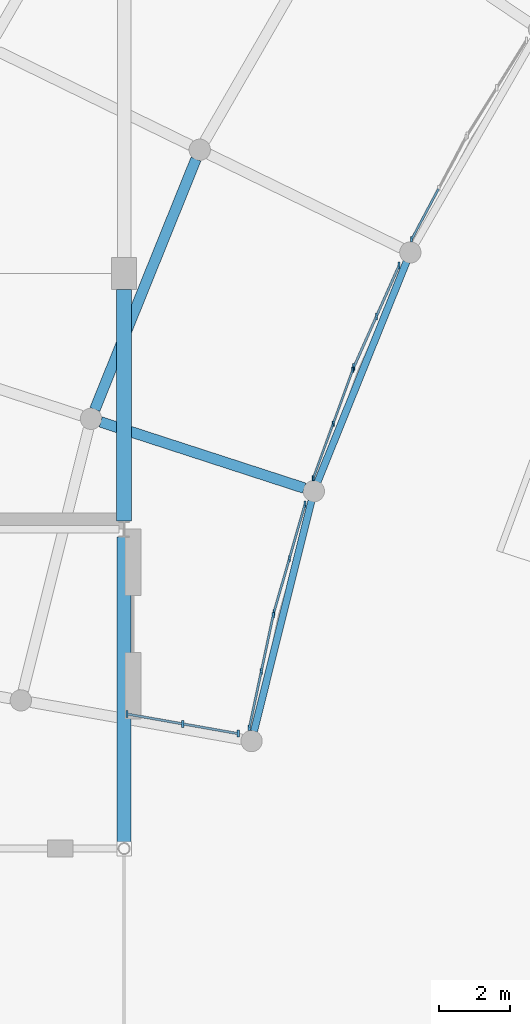
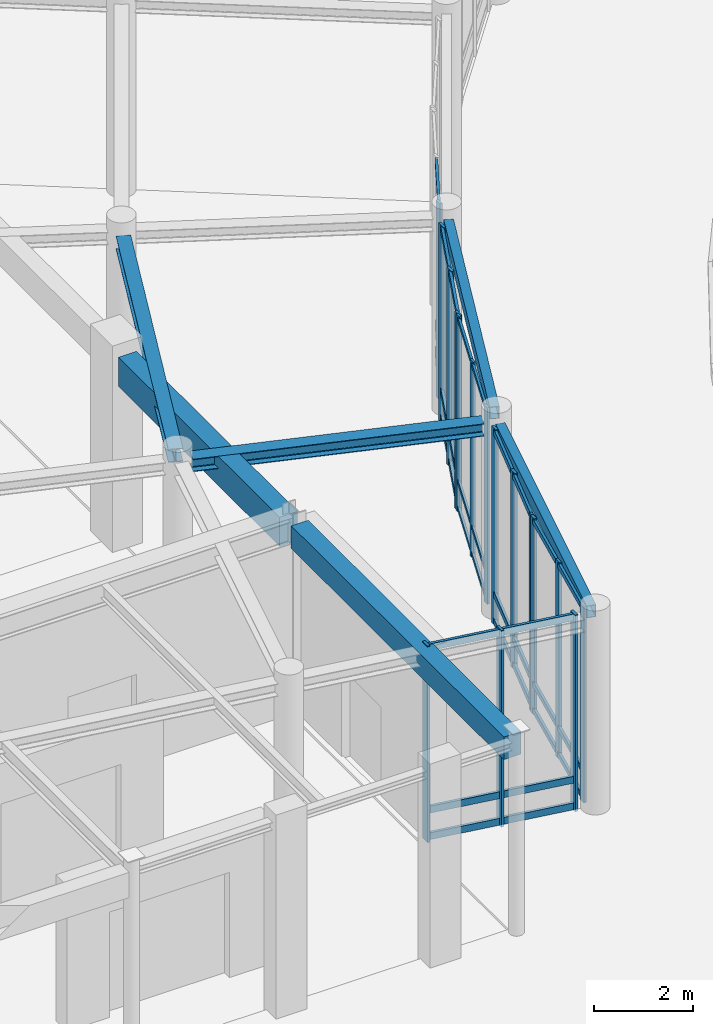
# One storey, part 17 of 64: 49 members, 6 beams, 6 elements without a shape of their own.
"""IFC4 building model written with IfcOpenShell, lengths in metres."""

from ifc_helpers import new_model, si_unit, direction, frame, origin, origin_2d, place, context, subcontext, project, spatial, rectangle, hollow_rectangle, i_section, extrude, material, material_profile, profile_set, type_object, element, aggregate, save


model = new_model("IFC4")

# Units and contexts
model_context = context("Model", 3, precision=1e-05, world=origin(), true_north=direction((0.0, 1.0)))
body_context = subcontext(model_context, "Body", "Model", "MODEL_VIEW")
ifc_project = project(units=[si_unit("LENGTHUNIT", "METRE"), si_unit("AREAUNIT", "SQUARE_METRE"), si_unit("VOLUMEUNIT", "CUBIC_METRE"), si_unit("PLANEANGLEUNIT", "RADIAN"), si_unit("MASSUNIT", "GRAM", prefix="KILO")], contexts=[model_context])

# Site, building, storey
site_placement = place(None, origin())
site = spatial("IfcSite", under=ifc_project, at=site_placement, CompositionType="ELEMENT")
building_placement = place(site_placement, origin())
building = spatial("IfcBuilding", under=site, at=building_placement, Name="Clarverna Civic Hall", CompositionType="ELEMENT")
storey_placement = place(building_placement, origin())
storey = spatial("IfcBuildingStorey", under=building, at=storey_placement, Name="L00", CompositionType="ELEMENT", Elevation=0.0)

# Beams
ifc_material_1 = material(Name="Concrete C35/45", Category="concrete")
ifc_material_profile_1 = material_profile(ifc_material_1, rectangle(XDim=0.419921875, YDim=0.719970703125, at=origin_2d()), Name="RC 420x720")
ifc_profile_set_1 = profile_set([ifc_material_profile_1], Name="Concrete C35/45")
beam_type_1 = type_object("IfcBeamType", Name="B-SP1", PredefinedType="SPANDREL", material=ifc_profile_set_1)
beam_1_placement = place(storey_placement, frame((97.199951171875, 23.22509765625, 4.419921875), z_axis=(0.0, 1.0, 0.0), x_axis=(-1.0, 0.0, 0.0)))
element("IfcBeam", 1, at=beam_1_placement, inside=storey, type_object=beam_type_1, Name="B-SP1-053", PredefinedType="SPANDREL", context=body_context, shape_type="SweptSolid", body=[
    extrude(rectangle(XDim=0.419921875, YDim=0.719970703125, at=origin_2d()), origin(), (0.0, 0.0, 1.0), 6.52490234375),
])
ifc_material_profile_2 = material_profile(ifc_material_1, rectangle(XDim=0.39990234375, YDim=0.56005859375, at=origin_2d()), Name="RC 400x560")
ifc_profile_set_2 = profile_set([ifc_material_profile_2], Name="Concrete C35/45")
beam_type_2 = type_object("IfcBeamType", Name="B-SP4", PredefinedType="SPANDREL", material=ifc_profile_set_2)
beam_2_placement = place(storey_placement, frame((97.199951171875, 14.161865234375, 4.56005859375), z_axis=(0.0, 1.0, 0.0), x_axis=(-1.0, 0.0, 0.0)))
element("IfcBeam", 2, at=beam_2_placement, inside=storey, type_object=beam_type_2, Name="B-SP4-049", PredefinedType="SPANDREL", context=body_context, shape_type="SweptSolid", body=[
    extrude(rectangle(XDim=0.39990234375, YDim=0.56005859375, at=origin_2d()), origin(), (0.0, 0.0, 1.0), 8.613037109375),
])
ifc_material_2 = material(Name="Steel S355", Category="steel")
ifc_material_profile_3 = material_profile(ifc_material_2, hollow_rectangle(XDim=0.199951171875, YDim=0.300048828125, WallThickness=0.010009765625, at=origin_2d()), Name="RHS 300x200x10.0")
ifc_profile_set_3 = profile_set([ifc_material_profile_3], Name="Steel S355")
beam_type_3 = type_object("IfcBeamType", Name="B-ST15", PredefinedType="SPANDREL", material=ifc_profile_set_3)
beam_3_placement = place(storey_placement, frame((105.156005859375, 30.531005859375, 4.7099609375), z_axis=(-0.374606160287, -0.927184029562, 0.0), x_axis=(0.927184029562, -0.374606160287, 0.0)))
element("IfcBeam", 3, at=beam_3_placement, inside=storey, type_object=beam_type_3, Name="B-ST15-008", PredefinedType="SPANDREL", context=body_context, shape_type="SweptSolid", body=[
    extrude(hollow_rectangle(XDim=0.199951171875, YDim=0.300048828125, WallThickness=0.010009765625, at=origin_2d()), origin(), (0.0, 0.0, 1.0), 6.684814453125),
])
beam_4_placement = place(storey_placement, frame((102.476318359375, 23.79248046875, 4.68994140625), z_axis=(-0.241951245957, -0.970288407938, 0.0), x_axis=(0.970288407938, -0.241951245957, 0.0)))
element("IfcBeam", 4, at=beam_4_placement, inside=storey, type_object=beam_type_3, Name="B-ST15-009", PredefinedType="SPANDREL", context=body_context, shape_type="SweptSolid", body=[
    extrude(hollow_rectangle(XDim=0.199951171875, YDim=0.300048828125, WallThickness=0.010009765625, at=origin_2d()), origin(), (0.0, 0.0, 1.0), 6.68505859375),
])
ifc_material_profile_4 = material_profile(ifc_material_2, i_section(OverallWidth=0.300048828125, OverallDepth=0.330078125, WebThickness=0.009521484375, FlangeThickness=0.0166015625, FilletRadius=0.027099609375, at=origin_2d()), Name="HEA 340")
ifc_profile_set_4 = profile_set([ifc_material_profile_4], Name="Steel S355")
beam_type_4 = type_object("IfcBeamType", Name="B-ST8", PredefinedType="BEAM", material=ifc_profile_set_4)
beam_5_placement = place(storey_placement, frame((99.223876953125, 33.42431640625, 4.614990234375), z_axis=(-0.374581936133, -0.927193816374, 0.0), x_axis=(0.927193816374, -0.374581936133, 0.0)))
element("IfcBeam", 5, at=beam_5_placement, inside=storey, type_object=beam_type_4, Name="B-ST8-036", PredefinedType="BEAM", context=body_context, shape_type="SweptSolid", body=[
    extrude(i_section(OverallWidth=0.300048828125, OverallDepth=0.330078125, WebThickness=0.009521484375, FlangeThickness=0.0166015625, FilletRadius=0.027099609375, at=origin_2d()), origin(), (0.0, 0.0, 1.0), 7.60546875),
])
ifc_material_profile_5 = material_profile(ifc_material_2, i_section(OverallWidth=0.300048828125, OverallDepth=0.31005859375, WebThickness=0.009033203125, FlangeThickness=0.015380859375, FilletRadius=0.027099609375, at=origin_2d()), Name="HEA 320")
ifc_profile_set_5 = profile_set([ifc_material_profile_5], Name="Steel S355")
beam_type_5 = type_object("IfcBeamType", Name="B-ST9", PredefinedType="BEAM", material=ifc_profile_set_5)
beam_6_placement = place(storey_placement, frame((102.27392578125, 24.156982421875, 4.625), z_axis=(-0.95105697734, 0.309015575421, 0.0), x_axis=(-0.309015575421, -0.95105697734, 0.0)))
element("IfcBeam", 6, at=beam_6_placement, inside=storey, type_object=beam_type_5, Name="B-ST9-045", PredefinedType="BEAM", context=body_context, shape_type="SweptSolid", body=[
    extrude(i_section(OverallWidth=0.300048828125, OverallDepth=0.31005859375, WebThickness=0.009033203125, FlangeThickness=0.015380859375, FilletRadius=0.027099609375, at=origin_2d()), origin(), (0.0, 0.0, 1.0), 6.02978515625),
])

# Curtain wall, members
ifc_material_3 = material(Name="Anodised Bronze Architectural Aluminium", Category="aluminium")
curtain_wall_type = type_object("IfcCurtainWallType", Name="CW-03", PredefinedType="USERDEFINED", material=ifc_material_3)
curtain_wall_1_placement = place(storey_placement, origin())
curtain_wall_1 = element("IfcCurtainWall", 7, at=curtain_wall_1_placement, inside=storey, type_object=curtain_wall_type, Name="CW-03-024", ObjectType="UNITISED CURTAIN WALL", PredefinedType="USERDEFINED")
ifc_material_profile_6 = material_profile(ifc_material_3, rectangle(XDim=0.06005859375, YDim=0.179931640625, at=origin_2d()), Name="BRONZE 60x180")
ifc_profile_set_6 = profile_set([ifc_material_profile_6], Name="Anodised Bronze Architectural Aluminium")
member_type_1 = type_object("IfcMemberType", Name="CWM-01", PredefinedType="MULLION", material=ifc_profile_set_6)
member_1_placement = place(storey_placement, frame((102.292724609375, 23.697265625, 0.0), z_axis=(0.0, 0.0, 1.0), x_axis=(1.0, 0.0, 0.0)))
member_1 = element("IfcMember", 8, at=member_1_placement, type_object=member_type_1, Name="CWM-01-019", PredefinedType="MULLION", context=body_context, shape_type="SweptSolid", body=[
    extrude(rectangle(XDim=0.06005859375, YDim=0.179931640625, at=origin_2d()), origin(), (0.0, 0.0, 1.0), 4.860107421875),
])
member_2_placement = place(storey_placement, frame((101.85595703125, 22.173583984375, 0.0), z_axis=(0.0, 0.0, 1.0), x_axis=(1.0, 0.0, 0.0)))
member_2 = element("IfcMember", 9, at=member_2_placement, type_object=member_type_1, Name="CWM-01-020", PredefinedType="MULLION", context=body_context, shape_type="SweptSolid", body=[
    extrude(rectangle(XDim=0.06005859375, YDim=0.179931640625, at=origin_2d()), origin(), (0.0, 0.0, 1.0), 4.860107421875),
])
member_3_placement = place(storey_placement, frame((101.419189453125, 20.650146484375, 0.0), z_axis=(0.0, 0.0, 1.0), x_axis=(1.0, 0.0, 0.0)))
member_3 = element("IfcMember", 10, at=member_3_placement, type_object=member_type_1, Name="CWM-01-021", PredefinedType="MULLION", context=body_context, shape_type="SweptSolid", body=[
    extrude(rectangle(XDim=0.06005859375, YDim=0.179931640625, at=origin_2d()), origin(), (0.0, 0.0, 1.0), 4.860107421875),
])

# Curtain wall, member
curtain_wall_2_placement = place(storey_placement, origin())
curtain_wall_2 = element("IfcCurtainWall", 11, at=curtain_wall_2_placement, inside=storey, type_object=curtain_wall_type, Name="CW-03-021", ObjectType="UNITISED CURTAIN WALL", PredefinedType="USERDEFINED")
ifc_material_profile_7 = material_profile(ifc_material_3, rectangle(XDim=0.06005859375, YDim=0.159912109375, at=origin_2d()), Name="BRONZE 60x160")
ifc_profile_set_7 = profile_set([ifc_material_profile_7], Name="Anodised Bronze Architectural Aluminium")
member_type_2 = type_object("IfcMemberType", Name="CWM-02", PredefinedType="MULLION", material=ifc_profile_set_7)
member_4_placement = place(storey_placement, frame((105.300537109375, 31.164306640625, 0.0), z_axis=(0.0, 0.0, 1.0), x_axis=(1.0, 0.0, 0.0)))
member_4 = element("IfcMember", 12, at=member_4_placement, type_object=member_type_2, Name="CWM-02-018", PredefinedType="MULLION", context=body_context, shape_type="SweptSolid", body=[
    extrude(rectangle(XDim=0.06005859375, YDim=0.159912109375, at=origin_2d()), origin(), (0.0, 0.0, 1.0), 4.860107421875),
])

# Curtain wall, members
curtain_wall_3_placement = place(storey_placement, origin())
curtain_wall_3 = element("IfcCurtainWall", 13, at=curtain_wall_3_placement, inside=storey, type_object=curtain_wall_type, Name="CW-03-025", ObjectType="UNITISED CURTAIN WALL", PredefinedType="USERDEFINED")
member_5_placement = place(storey_placement, frame((101.40087890625, 20.57666015625, 0.0), z_axis=(0.0, 0.0, 1.0), x_axis=(1.0, 0.0, 0.0)))
member_5 = element("IfcMember", 14, at=member_5_placement, type_object=member_type_2, Name="CWM-02-019", PredefinedType="MULLION", context=body_context, shape_type="SweptSolid", body=[
    extrude(rectangle(XDim=0.06005859375, YDim=0.159912109375, at=origin_2d()), origin(), (0.0, 0.0, 1.0), 4.860107421875),
])
member_6_placement = place(storey_placement, frame((101.0634765625, 18.989501953125, 0.0), z_axis=(0.0, 0.0, 1.0), x_axis=(1.0, 0.0, 0.0)))
member_6 = element("IfcMember", 15, at=member_6_placement, type_object=member_type_2, Name="CWM-02-020", PredefinedType="MULLION", context=body_context, shape_type="SweptSolid", body=[
    extrude(rectangle(XDim=0.06005859375, YDim=0.159912109375, at=origin_2d()), origin(), (0.0, 0.0, 1.0), 4.860107421875),
])
member_7_placement = place(storey_placement, frame((100.72607421875, 17.402099609375, 0.0), z_axis=(0.0, 0.0, 1.0), x_axis=(1.0, 0.0, 0.0)))
member_7 = element("IfcMember", 16, at=member_7_placement, type_object=member_type_2, Name="CWM-02-021", PredefinedType="MULLION", context=body_context, shape_type="SweptSolid", body=[
    extrude(rectangle(XDim=0.06005859375, YDim=0.159912109375, at=origin_2d()), origin(), (0.0, 0.0, 1.0), 4.860107421875),
])

curtain_wall_4_placement = place(storey_placement, origin())
curtain_wall_4 = element("IfcCurtainWall", 17, at=curtain_wall_4_placement, inside=storey, type_object=curtain_wall_type, Name="CW-03-022", ObjectType="UNITISED CURTAIN WALL", PredefinedType="USERDEFINED")
ifc_material_profile_8 = material_profile(ifc_material_3, rectangle(XDim=0.06494140625, YDim=0.199951171875, at=origin_2d()), Name="BRONZE 65x200")
ifc_profile_set_8 = profile_set([ifc_material_profile_8], Name="Anodised Bronze Architectural Aluminium")
member_type_3 = type_object("IfcMemberType", Name="CWM-03", PredefinedType="MULLION", material=ifc_profile_set_8)
member_8_placement = place(storey_placement, frame((104.944580078125, 30.42529296875, 0.0), z_axis=(0.0, 0.0, 1.0), x_axis=(1.0, 0.0, 0.0)))
member_8 = element("IfcMember", 18, at=member_8_placement, type_object=member_type_3, Name="CWM-03-016", PredefinedType="MULLION", context=body_context, shape_type="SweptSolid", body=[
    extrude(rectangle(XDim=0.06494140625, YDim=0.199951171875, at=origin_2d()), origin(), (0.0, 0.0, 1.0), 4.860107421875),
])
member_9_placement = place(storey_placement, frame((104.308349609375, 28.995849609375, 0.0), z_axis=(0.0, 0.0, 1.0), x_axis=(1.0, 0.0, 0.0)))
member_9 = element("IfcMember", 19, at=member_9_placement, type_object=member_type_3, Name="CWM-03-017", PredefinedType="MULLION", context=body_context, shape_type="SweptSolid", body=[
    extrude(rectangle(XDim=0.06494140625, YDim=0.199951171875, at=origin_2d()), origin(), (0.0, 0.0, 1.0), 4.860107421875),
])
member_10_placement = place(storey_placement, frame((103.671875, 27.56640625, 0.0), z_axis=(0.0, 0.0, 1.0), x_axis=(1.0, 0.0, 0.0)))
member_10 = element("IfcMember", 20, at=member_10_placement, type_object=member_type_3, Name="CWM-03-018", PredefinedType="MULLION", context=body_context, shape_type="SweptSolid", body=[
    extrude(rectangle(XDim=0.06494140625, YDim=0.199951171875, at=origin_2d()), origin(), (0.0, 0.0, 1.0), 4.860107421875),
])

curtain_wall_5_placement = place(storey_placement, origin())
curtain_wall_5 = element("IfcCurtainWall", 21, at=curtain_wall_5_placement, inside=storey, type_object=curtain_wall_type, Name="CW-03-026", ObjectType="UNITISED CURTAIN WALL", PredefinedType="USERDEFINED")
member_11_placement = place(storey_placement, frame((100.41748046875, 17.237548828125, 0.0), z_axis=(0.0, 0.0, 1.0), x_axis=(1.0, 0.0, 0.0)))
member_11 = element("IfcMember", 22, at=member_11_placement, type_object=member_type_3, Name="CWM-03-019", PredefinedType="MULLION", context=body_context, shape_type="SweptSolid", body=[
    extrude(rectangle(XDim=0.06494140625, YDim=0.199951171875, at=origin_2d()), origin(), (0.0, 0.0, 1.0), 4.860107421875),
])
member_12_placement = place(storey_placement, frame((98.849609375, 17.513916015625, 0.0), z_axis=(0.0, 0.0, 1.0), x_axis=(1.0, 0.0, 0.0)))
member_12 = element("IfcMember", 23, at=member_12_placement, type_object=member_type_3, Name="CWM-03-020", PredefinedType="MULLION", context=body_context, shape_type="SweptSolid", body=[
    extrude(rectangle(XDim=0.06494140625, YDim=0.199951171875, at=origin_2d()), origin(), (0.0, 0.0, 1.0), 4.860107421875),
])
member_13_placement = place(storey_placement, frame((97.28173828125, 17.79052734375, 0.0), z_axis=(0.0, 0.0, 1.0), x_axis=(1.0, 0.0, 0.0)))
member_13 = element("IfcMember", 24, at=member_13_placement, type_object=member_type_3, Name="CWM-03-021", PredefinedType="MULLION", context=body_context, shape_type="SweptSolid", body=[
    extrude(rectangle(XDim=0.06494140625, YDim=0.199951171875, at=origin_2d()), origin(), (0.0, 0.0, 1.0), 4.860107421875),
])

curtain_wall_6_placement = place(storey_placement, origin())
curtain_wall_6 = element("IfcCurtainWall", 25, at=curtain_wall_6_placement, inside=storey, type_object=curtain_wall_type, Name="CW-03-023", ObjectType="UNITISED CURTAIN WALL", PredefinedType="USERDEFINED")
ifc_material_profile_9 = material_profile(ifc_material_3, rectangle(XDim=0.054931640625, YDim=0.139892578125, at=origin_2d()), Name="BRONZE 55x140")
ifc_profile_set_9 = profile_set([ifc_material_profile_9], Name="Anodised Bronze Architectural Aluminium")
member_type_4 = type_object("IfcMemberType", Name="CWM-04", PredefinedType="MULLION", material=ifc_profile_set_9)
member_14_placement = place(storey_placement, frame((103.6435546875, 27.496337890625, 0.0), z_axis=(0.0, 0.0, 1.0), x_axis=(1.0, 0.0, 0.0)))
member_14 = element("IfcMember", 26, at=member_14_placement, type_object=member_type_4, Name="CWM-04-016", PredefinedType="MULLION", context=body_context, shape_type="SweptSolid", body=[
    extrude(rectangle(XDim=0.054931640625, YDim=0.139892578125, at=origin_2d()), origin(), (0.0, 0.0, 1.0), 4.860107421875),
])
member_15_placement = place(storey_placement, frame((103.08740234375, 25.96826171875, 0.0), z_axis=(0.0, 0.0, 1.0), x_axis=(1.0, 0.0, 0.0)))
member_15 = element("IfcMember", 27, at=member_15_placement, type_object=member_type_4, Name="CWM-04-017", PredefinedType="MULLION", context=body_context, shape_type="SweptSolid", body=[
    extrude(rectangle(XDim=0.054931640625, YDim=0.139892578125, at=origin_2d()), origin(), (0.0, 0.0, 1.0), 4.860107421875),
])
member_16_placement = place(storey_placement, frame((102.531005859375, 24.43994140625, 0.0), z_axis=(0.0, 0.0, 1.0), x_axis=(1.0, 0.0, 0.0)))
member_16 = element("IfcMember", 28, at=member_16_placement, type_object=member_type_4, Name="CWM-04-018", PredefinedType="MULLION", context=body_context, shape_type="SweptSolid", body=[
    extrude(rectangle(XDim=0.054931640625, YDim=0.139892578125, at=origin_2d()), origin(), (0.0, 0.0, 1.0), 4.860107421875),
])

# Member
ifc_material_profile_10 = material_profile(ifc_material_3, rectangle(XDim=0.06005859375, YDim=0.14990234375, at=origin_2d()), Name="BRONZE 60x150")
ifc_profile_set_10 = profile_set([ifc_material_profile_10], Name="Anodised Bronze Architectural Aluminium")
member_type_5 = type_object("IfcMemberType", Name="CWT-01", PredefinedType="USERDEFINED", material=ifc_profile_set_10)
member_17_placement = place(storey_placement, frame((102.288818359375, 23.682861328125, 0.094970703125), z_axis=(-0.275674782224, -0.9612509633, 0.0), x_axis=(0.9612509633, -0.275674782224, 0.0)))
member_17 = element("IfcMember", 29, at=member_17_placement, type_object=member_type_5, Name="CWT-01-037", ObjectType="TRANSOM", PredefinedType="USERDEFINED", context=body_context, shape_type="SweptSolid", body=[
    extrude(rectangle(XDim=0.06005859375, YDim=0.14990234375, at=origin_2d()), origin(), (0.0, 0.0, 1.0), 1.55517578125),
])

member_18_placement = place(storey_placement, frame((102.288818359375, 23.682861328125, 0.75), z_axis=(-0.275674782224, -0.9612509633, 0.0), x_axis=(0.9612509633, -0.275674782224, 0.0)))
member_18 = element("IfcMember", 30, at=member_18_placement, type_object=member_type_5, Name="CWT-01-038", ObjectType="TRANSOM", PredefinedType="USERDEFINED", context=body_context, shape_type="SweptSolid", body=[
    extrude(rectangle(XDim=0.06005859375, YDim=0.14990234375, at=origin_2d()), origin(), (0.0, 0.0, 1.0), 1.55517578125),
])

member_19_placement = place(storey_placement, frame((102.288818359375, 23.682861328125, 4.764892578125), z_axis=(-0.275674782224, -0.9612509633, 0.0), x_axis=(0.9612509633, -0.275674782224, 0.0)))
member_19 = element("IfcMember", 31, at=member_19_placement, type_object=member_type_5, Name="CWT-01-039", ObjectType="TRANSOM", PredefinedType="USERDEFINED", context=body_context, shape_type="SweptSolid", body=[
    extrude(rectangle(XDim=0.06005859375, YDim=0.14990234375, at=origin_2d()), origin(), (0.0, 0.0, 1.0), 1.55517578125),
])

member_20_placement = place(storey_placement, frame((101.851806640625, 22.1591796875, 0.094970703125), z_axis=(-0.275716389492, -0.96123902988, 0.0), x_axis=(0.96123902988, -0.275716389492, 0.0)))
member_20 = element("IfcMember", 32, at=member_20_placement, type_object=member_type_5, Name="CWT-01-040", ObjectType="TRANSOM", PredefinedType="USERDEFINED", context=body_context, shape_type="SweptSolid", body=[
    extrude(rectangle(XDim=0.06005859375, YDim=0.14990234375, at=origin_2d()), origin(), (0.0, 0.0, 1.0), 1.554931640625),
])

member_21_placement = place(storey_placement, frame((101.851806640625, 22.1591796875, 0.75), z_axis=(-0.275716389492, -0.96123902988, 0.0), x_axis=(0.96123902988, -0.275716389492, 0.0)))
member_21 = element("IfcMember", 33, at=member_21_placement, type_object=member_type_5, Name="CWT-01-041", ObjectType="TRANSOM", PredefinedType="USERDEFINED", context=body_context, shape_type="SweptSolid", body=[
    extrude(rectangle(XDim=0.06005859375, YDim=0.14990234375, at=origin_2d()), origin(), (0.0, 0.0, 1.0), 1.554931640625),
])

member_22_placement = place(storey_placement, frame((101.851806640625, 22.1591796875, 4.764892578125), z_axis=(-0.275716389492, -0.96123902988, 0.0), x_axis=(0.96123902988, -0.275716389492, 0.0)))
member_22 = element("IfcMember", 34, at=member_22_placement, type_object=member_type_5, Name="CWT-01-042", ObjectType="TRANSOM", PredefinedType="USERDEFINED", context=body_context, shape_type="SweptSolid", body=[
    extrude(rectangle(XDim=0.06005859375, YDim=0.14990234375, at=origin_2d()), origin(), (0.0, 0.0, 1.0), 1.554931640625),
])

aggregate(curtain_wall_1, [member_1, member_2, member_3, member_17, member_18, member_19, member_20, member_21, member_22])

ifc_material_profile_11 = material_profile(ifc_material_3, rectangle(XDim=0.06005859375, YDim=0.1298828125, at=origin_2d()), Name="BRONZE 60x130")
ifc_profile_set_11 = profile_set([ifc_material_profile_11], Name="Anodised Bronze Architectural Aluminium")
member_type_6 = type_object("IfcMemberType", Name="CWT-02", PredefinedType="USERDEFINED", material=ifc_profile_set_11)
member_23_placement = place(storey_placement, frame((106.056884765625, 32.58740234375, 0.094970703125), z_axis=(-0.469278200902, -0.883050378041, 0.0), x_axis=(0.883050378041, -0.469278200902, 0.0)))
member_23 = element("IfcMember", 35, at=member_23_placement, type_object=member_type_6, Name="CWT-02-034", ObjectType="TRANSOM", PredefinedType="USERDEFINED", context=body_context, shape_type="SweptSolid", body=[
    extrude(rectangle(XDim=0.06005859375, YDim=0.1298828125, at=origin_2d()), origin(), (0.0, 0.0, 1.0), 1.5966796875),
])

member_24_placement = place(storey_placement, frame((106.056884765625, 32.58740234375, 0.75), z_axis=(-0.469278200902, -0.883050378041, 0.0), x_axis=(0.883050378041, -0.469278200902, 0.0)))
member_24 = element("IfcMember", 36, at=member_24_placement, type_object=member_type_6, Name="CWT-02-035", ObjectType="TRANSOM", PredefinedType="USERDEFINED", context=body_context, shape_type="SweptSolid", body=[
    extrude(rectangle(XDim=0.06005859375, YDim=0.1298828125, at=origin_2d()), origin(), (0.0, 0.0, 1.0), 1.5966796875),
])

member_25_placement = place(storey_placement, frame((106.056884765625, 32.58740234375, 4.764892578125), z_axis=(-0.469278200902, -0.883050378041, 0.0), x_axis=(0.883050378041, -0.469278200902, 0.0)))
member_25 = element("IfcMember", 37, at=member_25_placement, type_object=member_type_6, Name="CWT-02-036", ObjectType="TRANSOM", PredefinedType="USERDEFINED", context=body_context, shape_type="SweptSolid", body=[
    extrude(rectangle(XDim=0.06005859375, YDim=0.1298828125, at=origin_2d()), origin(), (0.0, 0.0, 1.0), 1.5966796875),
])

aggregate(curtain_wall_2, [member_4, member_23, member_24, member_25])

member_26_placement = place(storey_placement, frame((101.397705078125, 20.56201171875, 0.094970703125), z_axis=(-0.207833092488, -0.978164304024, 0.0), x_axis=(0.978164304024, -0.207833092488, 0.0)))
member_26 = element("IfcMember", 38, at=member_26_placement, type_object=member_type_6, Name="CWT-02-037", ObjectType="TRANSOM", PredefinedType="USERDEFINED", context=body_context, shape_type="SweptSolid", body=[
    extrude(rectangle(XDim=0.06005859375, YDim=0.1298828125, at=origin_2d()), origin(), (0.0, 0.0, 1.0), 1.5927734375),
])

member_27_placement = place(storey_placement, frame((101.397705078125, 20.56201171875, 0.75), z_axis=(-0.207833092488, -0.978164304024, 0.0), x_axis=(0.978164304024, -0.207833092488, 0.0)))
member_27 = element("IfcMember", 39, at=member_27_placement, type_object=member_type_6, Name="CWT-02-038", ObjectType="TRANSOM", PredefinedType="USERDEFINED", context=body_context, shape_type="SweptSolid", body=[
    extrude(rectangle(XDim=0.06005859375, YDim=0.1298828125, at=origin_2d()), origin(), (0.0, 0.0, 1.0), 1.5927734375),
])

member_28_placement = place(storey_placement, frame((101.397705078125, 20.56201171875, 4.764892578125), z_axis=(-0.207833092488, -0.978164304024, 0.0), x_axis=(0.978164304024, -0.207833092488, 0.0)))
member_28 = element("IfcMember", 40, at=member_28_placement, type_object=member_type_6, Name="CWT-02-039", ObjectType="TRANSOM", PredefinedType="USERDEFINED", context=body_context, shape_type="SweptSolid", body=[
    extrude(rectangle(XDim=0.06005859375, YDim=0.1298828125, at=origin_2d()), origin(), (0.0, 0.0, 1.0), 1.5927734375),
])

member_29_placement = place(storey_placement, frame((101.060302734375, 18.974609375, 0.094970703125), z_axis=(-0.207864255912, -0.978157682132, 0.0), x_axis=(0.978157682132, -0.207864255912, 0.0)))
member_29 = element("IfcMember", 41, at=member_29_placement, type_object=member_type_6, Name="CWT-02-040", ObjectType="TRANSOM", PredefinedType="USERDEFINED", context=body_context, shape_type="SweptSolid", body=[
    extrude(rectangle(XDim=0.06005859375, YDim=0.1298828125, at=origin_2d()), origin(), (0.0, 0.0, 1.0), 1.592529296875),
])

member_30_placement = place(storey_placement, frame((101.060302734375, 18.974609375, 0.75), z_axis=(-0.207864255912, -0.978157682132, 0.0), x_axis=(0.978157682132, -0.207864255912, 0.0)))
member_30 = element("IfcMember", 42, at=member_30_placement, type_object=member_type_6, Name="CWT-02-041", ObjectType="TRANSOM", PredefinedType="USERDEFINED", context=body_context, shape_type="SweptSolid", body=[
    extrude(rectangle(XDim=0.06005859375, YDim=0.1298828125, at=origin_2d()), origin(), (0.0, 0.0, 1.0), 1.592529296875),
])

member_31_placement = place(storey_placement, frame((101.060302734375, 18.974609375, 4.764892578125), z_axis=(-0.207864255912, -0.978157682132, 0.0), x_axis=(0.978157682132, -0.207864255912, 0.0)))
member_31 = element("IfcMember", 43, at=member_31_placement, type_object=member_type_6, Name="CWT-02-042", ObjectType="TRANSOM", PredefinedType="USERDEFINED", context=body_context, shape_type="SweptSolid", body=[
    extrude(rectangle(XDim=0.06005859375, YDim=0.1298828125, at=origin_2d()), origin(), (0.0, 0.0, 1.0), 1.592529296875),
])

aggregate(curtain_wall_3, [member_5, member_6, member_7, member_26, member_27, member_28, member_29, member_30, member_31])

ifc_material_profile_12 = material_profile(ifc_material_3, rectangle(XDim=0.06494140625, YDim=0.169921875, at=origin_2d()), Name="BRONZE 65x170")
ifc_profile_set_12 = profile_set([ifc_material_profile_12], Name="Anodised Bronze Architectural Aluminium")
member_type_7 = type_object("IfcMemberType", Name="CWT-03", PredefinedType="USERDEFINED", material=ifc_profile_set_12)
member_32_placement = place(storey_placement, frame((104.938720703125, 30.41162109375, 0.094970703125), z_axis=(-0.406743501213, -0.913542404172, 0.0), x_axis=(0.913542404172, -0.406743501213, 0.0)))
member_32 = element("IfcMember", 44, at=member_32_placement, type_object=member_type_7, Name="CWT-03-031", ObjectType="TRANSOM", PredefinedType="USERDEFINED", context=body_context, shape_type="SweptSolid", body=[
    extrude(rectangle(XDim=0.06494140625, YDim=0.169921875, at=origin_2d()), origin(), (0.0, 0.0, 1.0), 1.534912109375),
])

member_33_placement = place(storey_placement, frame((104.938720703125, 30.41162109375, 0.75), z_axis=(-0.406743501213, -0.913542404172, 0.0), x_axis=(0.913542404172, -0.406743501213, 0.0)))
member_33 = element("IfcMember", 45, at=member_33_placement, type_object=member_type_7, Name="CWT-03-032", ObjectType="TRANSOM", PredefinedType="USERDEFINED", context=body_context, shape_type="SweptSolid", body=[
    extrude(rectangle(XDim=0.06494140625, YDim=0.169921875, at=origin_2d()), origin(), (0.0, 0.0, 1.0), 1.534912109375),
])

member_34_placement = place(storey_placement, frame((104.938720703125, 30.41162109375, 4.764892578125), z_axis=(-0.406743501213, -0.913542404172, 0.0), x_axis=(0.913542404172, -0.406743501213, 0.0)))
member_34 = element("IfcMember", 46, at=member_34_placement, type_object=member_type_7, Name="CWT-03-033", ObjectType="TRANSOM", PredefinedType="USERDEFINED", context=body_context, shape_type="SweptSolid", body=[
    extrude(rectangle(XDim=0.06494140625, YDim=0.169921875, at=origin_2d()), origin(), (0.0, 0.0, 1.0), 1.534912109375),
])

member_35_placement = place(storey_placement, frame((104.30224609375, 28.982177734375, 0.094970703125), z_axis=(-0.406743501213, -0.913542404172, 0.0), x_axis=(0.913542404172, -0.406743501213, 0.0)))
member_35 = element("IfcMember", 47, at=member_35_placement, type_object=member_type_7, Name="CWT-03-034", ObjectType="TRANSOM", PredefinedType="USERDEFINED", context=body_context, shape_type="SweptSolid", body=[
    extrude(rectangle(XDim=0.06494140625, YDim=0.169921875, at=origin_2d()), origin(), (0.0, 0.0, 1.0), 1.534912109375),
])

member_36_placement = place(storey_placement, frame((104.30224609375, 28.982177734375, 0.75), z_axis=(-0.406743501213, -0.913542404172, 0.0), x_axis=(0.913542404172, -0.406743501213, 0.0)))
member_36 = element("IfcMember", 48, at=member_36_placement, type_object=member_type_7, Name="CWT-03-035", ObjectType="TRANSOM", PredefinedType="USERDEFINED", context=body_context, shape_type="SweptSolid", body=[
    extrude(rectangle(XDim=0.06494140625, YDim=0.169921875, at=origin_2d()), origin(), (0.0, 0.0, 1.0), 1.534912109375),
])

member_37_placement = place(storey_placement, frame((104.30224609375, 28.982177734375, 4.764892578125), z_axis=(-0.406743501213, -0.913542404172, 0.0), x_axis=(0.913542404172, -0.406743501213, 0.0)))
member_37 = element("IfcMember", 49, at=member_37_placement, type_object=member_type_7, Name="CWT-03-036", ObjectType="TRANSOM", PredefinedType="USERDEFINED", context=body_context, shape_type="SweptSolid", body=[
    extrude(rectangle(XDim=0.06494140625, YDim=0.169921875, at=origin_2d()), origin(), (0.0, 0.0, 1.0), 1.534912109375),
])

aggregate(curtain_wall_4, [member_8, member_9, member_10, member_32, member_33, member_34, member_35, member_36, member_37])

member_38_placement = place(storey_placement, frame((100.402587890625, 17.239990234375, 0.094970703125), z_axis=(-0.984777263654, 0.173821002728, 0.0), x_axis=(-0.173821002728, -0.984777263654, 0.0)))
member_38 = element("IfcMember", 50, at=member_38_placement, type_object=member_type_7, Name="CWT-03-037", ObjectType="TRANSOM", PredefinedType="USERDEFINED", context=body_context, shape_type="SweptSolid", body=[
    extrude(rectangle(XDim=0.06494140625, YDim=0.169921875, at=origin_2d()), origin(), (0.0, 0.0, 1.0), 1.561767578125),
])

member_39_placement = place(storey_placement, frame((100.402587890625, 17.239990234375, 0.75), z_axis=(-0.984777263654, 0.173821002728, 0.0), x_axis=(-0.173821002728, -0.984777263654, 0.0)))
member_39 = element("IfcMember", 51, at=member_39_placement, type_object=member_type_7, Name="CWT-03-038", ObjectType="TRANSOM", PredefinedType="USERDEFINED", context=body_context, shape_type="SweptSolid", body=[
    extrude(rectangle(XDim=0.06494140625, YDim=0.169921875, at=origin_2d()), origin(), (0.0, 0.0, 1.0), 1.561767578125),
])

member_40_placement = place(storey_placement, frame((100.402587890625, 17.239990234375, 4.764892578125), z_axis=(-0.984777263654, 0.173821002728, 0.0), x_axis=(-0.173821002728, -0.984777263654, 0.0)))
member_40 = element("IfcMember", 52, at=member_40_placement, type_object=member_type_7, Name="CWT-03-039", ObjectType="TRANSOM", PredefinedType="USERDEFINED", context=body_context, shape_type="SweptSolid", body=[
    extrude(rectangle(XDim=0.06494140625, YDim=0.169921875, at=origin_2d()), origin(), (0.0, 0.0, 1.0), 1.561767578125),
])

member_41_placement = place(storey_placement, frame((98.8349609375, 17.5166015625, 0.094970703125), z_axis=(-0.984808723363, 0.173642674442, 0.0), x_axis=(-0.173642674442, -0.984808723363, 0.0)))
member_41 = element("IfcMember", 53, at=member_41_placement, type_object=member_type_7, Name="CWT-03-040", ObjectType="TRANSOM", PredefinedType="USERDEFINED", context=body_context, shape_type="SweptSolid", body=[
    extrude(rectangle(XDim=0.06494140625, YDim=0.169921875, at=origin_2d()), origin(), (0.0, 0.0, 1.0), 1.56201171875),
])

member_42_placement = place(storey_placement, frame((98.8349609375, 17.5166015625, 0.75), z_axis=(-0.984808723363, 0.173642674442, 0.0), x_axis=(-0.173642674442, -0.984808723363, 0.0)))
member_42 = element("IfcMember", 54, at=member_42_placement, type_object=member_type_7, Name="CWT-03-041", ObjectType="TRANSOM", PredefinedType="USERDEFINED", context=body_context, shape_type="SweptSolid", body=[
    extrude(rectangle(XDim=0.06494140625, YDim=0.169921875, at=origin_2d()), origin(), (0.0, 0.0, 1.0), 1.56201171875),
])

member_43_placement = place(storey_placement, frame((98.8349609375, 17.5166015625, 4.764892578125), z_axis=(-0.984808723363, 0.173642674442, 0.0), x_axis=(-0.173642674442, -0.984808723363, 0.0)))
member_43 = element("IfcMember", 55, at=member_43_placement, type_object=member_type_7, Name="CWT-03-042", ObjectType="TRANSOM", PredefinedType="USERDEFINED", context=body_context, shape_type="SweptSolid", body=[
    extrude(rectangle(XDim=0.06494140625, YDim=0.169921875, at=origin_2d()), origin(), (0.0, 0.0, 1.0), 1.56201171875),
])

aggregate(curtain_wall_5, [member_11, member_12, member_13, member_38, member_39, member_40, member_41, member_42, member_43])

ifc_material_profile_13 = material_profile(ifc_material_3, rectangle(XDim=0.054931640625, YDim=0.110107421875, at=origin_2d()), Name="BRONZE 55x110")
ifc_profile_set_13 = profile_set([ifc_material_profile_13], Name="Anodised Bronze Architectural Aluminium")
member_type_8 = type_object("IfcMemberType", Name="CWT-04", PredefinedType="USERDEFINED", material=ifc_profile_set_13)
member_44_placement = place(storey_placement, frame((103.638427734375, 27.482421875, 0.094970703125), z_axis=(-0.342074547265, -0.939672817588, 0.0), x_axis=(0.939672817588, -0.342074547265, 0.0)))
member_44 = element("IfcMember", 56, at=member_44_placement, type_object=member_type_8, Name="CWT-04-031", ObjectType="TRANSOM", PredefinedType="USERDEFINED", context=body_context, shape_type="SweptSolid", body=[
    extrude(rectangle(XDim=0.054931640625, YDim=0.110107421875, at=origin_2d()), origin(), (0.0, 0.0, 1.0), 1.5966796875),
])

member_45_placement = place(storey_placement, frame((103.638427734375, 27.482421875, 0.75), z_axis=(-0.342074547265, -0.939672817588, 0.0), x_axis=(0.939672817588, -0.342074547265, 0.0)))
member_45 = element("IfcMember", 57, at=member_45_placement, type_object=member_type_8, Name="CWT-04-032", ObjectType="TRANSOM", PredefinedType="USERDEFINED", context=body_context, shape_type="SweptSolid", body=[
    extrude(rectangle(XDim=0.054931640625, YDim=0.110107421875, at=origin_2d()), origin(), (0.0, 0.0, 1.0), 1.5966796875),
])

member_46_placement = place(storey_placement, frame((103.638427734375, 27.482421875, 4.764892578125), z_axis=(-0.342074547265, -0.939672817588, 0.0), x_axis=(0.939672817588, -0.342074547265, 0.0)))
member_46 = element("IfcMember", 58, at=member_46_placement, type_object=member_type_8, Name="CWT-04-033", ObjectType="TRANSOM", PredefinedType="USERDEFINED", context=body_context, shape_type="SweptSolid", body=[
    extrude(rectangle(XDim=0.054931640625, YDim=0.110107421875, at=origin_2d()), origin(), (0.0, 0.0, 1.0), 1.5966796875),
])

member_47_placement = place(storey_placement, frame((103.082275390625, 25.9541015625, 0.094970703125), z_axis=(-0.342123707107, -0.939654920189, 0.0), x_axis=(0.939654920189, -0.342123707107, 0.0)))
member_47 = element("IfcMember", 59, at=member_47_placement, type_object=member_type_8, Name="CWT-04-034", ObjectType="TRANSOM", PredefinedType="USERDEFINED", context=body_context, shape_type="SweptSolid", body=[
    extrude(rectangle(XDim=0.054931640625, YDim=0.110107421875, at=origin_2d()), origin(), (0.0, 0.0, 1.0), 1.596435546875),
])

member_48_placement = place(storey_placement, frame((103.082275390625, 25.9541015625, 0.75), z_axis=(-0.342123707107, -0.939654920189, 0.0), x_axis=(0.939654920189, -0.342123707107, 0.0)))
member_48 = element("IfcMember", 60, at=member_48_placement, type_object=member_type_8, Name="CWT-04-035", ObjectType="TRANSOM", PredefinedType="USERDEFINED", context=body_context, shape_type="SweptSolid", body=[
    extrude(rectangle(XDim=0.054931640625, YDim=0.110107421875, at=origin_2d()), origin(), (0.0, 0.0, 1.0), 1.596435546875),
])

member_49_placement = place(storey_placement, frame((103.082275390625, 25.9541015625, 4.764892578125), z_axis=(-0.342123707107, -0.939654920189, 0.0), x_axis=(0.939654920189, -0.342123707107, 0.0)))
member_49 = element("IfcMember", 61, at=member_49_placement, type_object=member_type_8, Name="CWT-04-036", ObjectType="TRANSOM", PredefinedType="USERDEFINED", context=body_context, shape_type="SweptSolid", body=[
    extrude(rectangle(XDim=0.054931640625, YDim=0.110107421875, at=origin_2d()), origin(), (0.0, 0.0, 1.0), 1.596435546875),
])

aggregate(curtain_wall_6, [member_14, member_15, member_16, member_44, member_45, member_46, member_47, member_48, member_49])

save(model, "model.ifc")
